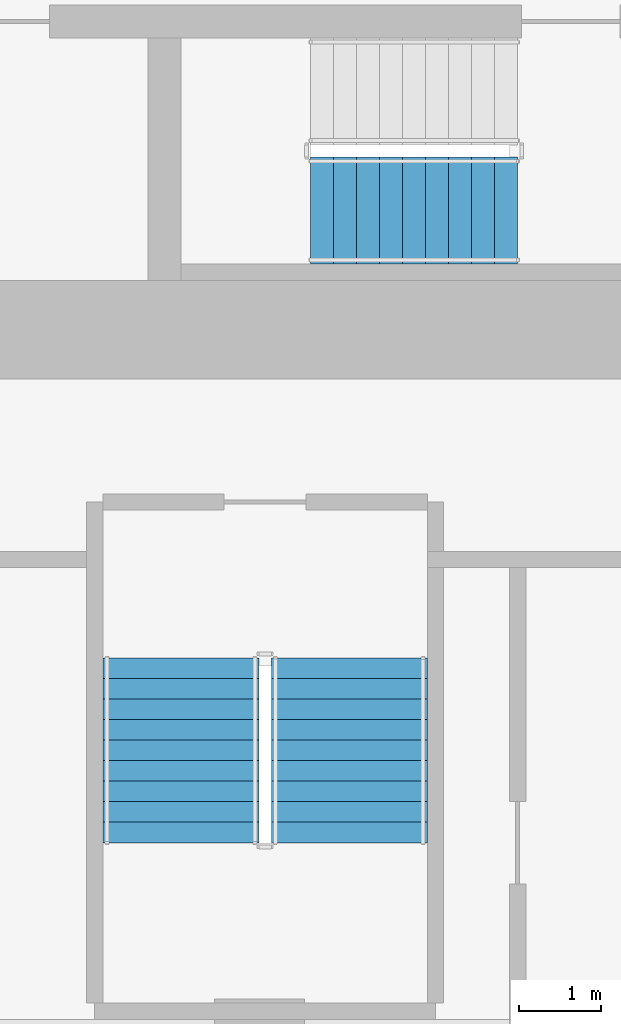
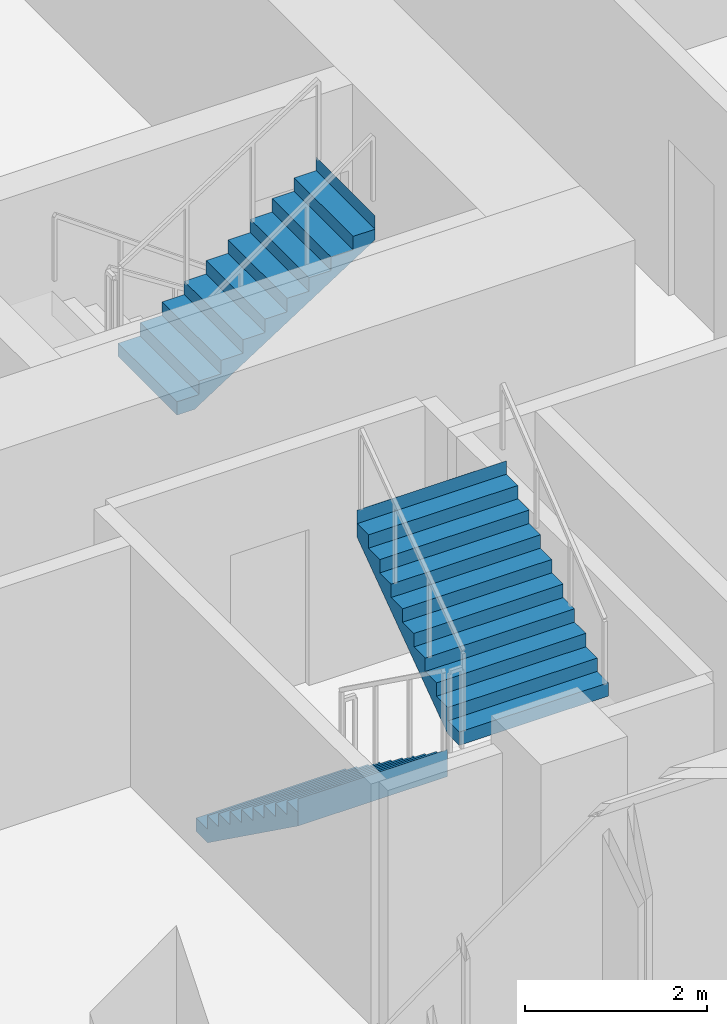
# One storey, part 20 of 25: 3 stair flights, 2 elements without a shape of their own.
"""IFC4 building model written with IfcOpenShell, lengths in metres."""

from ifc_helpers import new_model, si_unit, direction, frame, origin, place, context, subcontext, project, spatial, triangles, material, type_object, element, aggregate, save


model = new_model("IFC4")

# Units and contexts
model_context = context("Model", 3, precision=1e-05, world=origin(), true_north=direction((0.0, 1.0)))
body_context = subcontext(model_context, "Body", "Model", "MODEL_VIEW")
ifc_project = project(units=[si_unit("LENGTHUNIT", "METRE"), si_unit("AREAUNIT", "SQUARE_METRE"), si_unit("VOLUMEUNIT", "CUBIC_METRE"), si_unit("PLANEANGLEUNIT", "RADIAN"), si_unit("MASSUNIT", "GRAM", prefix="KILO")], contexts=[model_context])

# Site, building, storey
site_placement = place(None, origin())
site = spatial("IfcSite", under=ifc_project, at=site_placement, CompositionType="ELEMENT")
building_placement = place(site_placement, origin())
building = spatial("IfcBuilding", under=site, at=building_placement, Name="Beryl Residences", CompositionType="ELEMENT")
storey_placement = place(building_placement, frame((0.0, 0.0, 16.199951171875)))
storey = spatial("IfcBuildingStorey", under=building, at=storey_placement, Name="L04", CompositionType="ELEMENT", Elevation=16.199951171875)

# Stair, stair flights
ifc_material_1 = material(Name="Concrete C40/50", Category="concrete")
stair_type = type_object("IfcStairType", Name="ST1 protected exit stair, half-turn, 1300 mm flights", PredefinedType="HALF_TURN_STAIR", material=ifc_material_1)
stair_1_placement = place(storey_placement, origin())
stair_1 = element("IfcStair", 1, at=stair_1_placement, inside=storey, type_object=stair_type, Name="L04 Podium exit stair 7", PredefinedType="HALF_TURN_STAIR")
ifc_material_2 = material(Name="Concrete C40/50", Category="concrete")
stair_flight_type = type_object("IfcStairFlightType", Name="SF1 stair flight 1300 mm", PredefinedType="STRAIGHT", material=ifc_material_2)
stair_flight_1_placement = place(storey_placement, frame((6.699951171875, -22.39990234375, 0.0), z_axis=(0.0, 0.0, 1.0), x_axis=(0.0, -1.0, 0.0)))
stair_flight_1 = element("IfcStairFlight", 2, at=stair_flight_1_placement, type_object=stair_flight_type, Name="PS-7 flight 1", NumberOfRisers=10, NumberOfTreads=9, PredefinedType="STRAIGHT", RiserHeight=0.18, TreadLength=0.25, context=body_context, shape_type="Tessellation", body=[
    triangles([(0.0, -0.949951171875, 0.0), (0.0, -0.47509765625, 0.0), (0.0, 0.0, 0.0), (0.0, 0.47509765625, 0.0), (0.0, 0.949951171875, 0.0), (0.0, -0.949951171875, 0.179931640625), (0.0, -0.47509765625, 0.179931640625), (0.0, 0.0, 0.179931640625), (0.0, 0.47509765625, 0.179931640625), (0.0, 0.949951171875, 0.179931640625), (0.25, -0.949951171875, 0.179931640625), (0.25, -0.47509765625, 0.179931640625), (0.25, 0.0, 0.179931640625), (0.25, 0.47509765625, 0.179931640625), (0.25, 0.949951171875, 0.179931640625), (0.25, -0.949951171875, 0.360107421875), (0.25, -0.47509765625, 0.360107421875), (0.25, 0.0, 0.360107421875), (0.25, 0.47509765625, 0.360107421875), (0.25, 0.949951171875, 0.360107421875), (0.5, -0.949951171875, 0.360107421875), (0.5, -0.47509765625, 0.360107421875), (0.5, 0.0, 0.360107421875), (0.5, 0.47509765625, 0.360107421875), (0.5, 0.949951171875, 0.360107421875), (0.5, -0.949951171875, 0.5400390625), (0.5, -0.47509765625, 0.5400390625), (0.5, 0.0, 0.5400390625), (0.5, 0.47509765625, 0.5400390625), (0.5, 0.949951171875, 0.5400390625), (0.75, -0.949951171875, 0.5400390625), (0.75, -0.47509765625, 0.5400390625), (0.75, 0.0, 0.5400390625), (0.75, 0.47509765625, 0.5400390625), (0.75, 0.949951171875, 0.5400390625), (0.75, -0.949951171875, 0.719970703125), (0.75, -0.47509765625, 0.719970703125), (0.75, 0.0, 0.719970703125), (0.75, 0.47509765625, 0.719970703125), (0.75, 0.949951171875, 0.719970703125), (1.0, -0.949951171875, 0.719970703125), (1.0, -0.47509765625, 0.719970703125), (1.0, 0.0, 0.719970703125), (1.0, 0.47509765625, 0.719970703125), (1.0, 0.949951171875, 0.719970703125), (1.0, -0.949951171875, 0.89990234375), (1.0, -0.47509765625, 0.89990234375), (1.0, 0.0, 0.89990234375), (1.0, 0.47509765625, 0.89990234375), (1.0, 0.949951171875, 0.89990234375), (1.25, -0.949951171875, 0.89990234375), (1.25, -0.47509765625, 0.89990234375), (1.25, 0.0, 0.89990234375), (1.25, 0.47509765625, 0.89990234375), (1.25, 0.949951171875, 0.89990234375), (1.25, -0.949951171875, 1.080078125), (1.25, -0.47509765625, 1.080078125), (1.25, 0.0, 1.080078125), (1.25, 0.47509765625, 1.080078125), (1.25, 0.949951171875, 1.080078125), (1.5, -0.949951171875, 1.080078125), (1.5, -0.47509765625, 1.080078125), (1.5, 0.0, 1.080078125), (1.5, 0.47509765625, 1.080078125), (1.5, 0.949951171875, 1.080078125), (1.5, -0.949951171875, 1.260009765625), (1.5, -0.47509765625, 1.260009765625), (1.5, 0.0, 1.260009765625), (1.5, 0.47509765625, 1.260009765625), (1.5, 0.949951171875, 1.260009765625), (1.75, -0.949951171875, 1.260009765625), (1.75, -0.47509765625, 1.260009765625), (1.75, 0.0, 1.260009765625), (1.75, 0.47509765625, 1.260009765625), (1.75, 0.949951171875, 1.260009765625), (1.75, -0.949951171875, 1.43994140625), (1.75, -0.47509765625, 1.43994140625), (1.75, 0.0, 1.43994140625), (1.75, 0.47509765625, 1.43994140625), (1.75, 0.949951171875, 1.43994140625), (2.0, -0.949951171875, 1.43994140625), (2.0, -0.47509765625, 1.43994140625), (2.0, 0.0, 1.43994140625), (2.0, 0.47509765625, 1.43994140625), (2.0, 0.949951171875, 1.43994140625), (2.0, -0.949951171875, 1.6201171875), (2.0, -0.47509765625, 1.6201171875), (2.0, 0.0, 1.6201171875), (2.0, 0.47509765625, 1.6201171875), (2.0, 0.949951171875, 1.6201171875), (2.25, -0.949951171875, 1.6201171875), (2.25, -0.47509765625, 1.6201171875), (2.25, 0.0, 1.6201171875), (2.25, 0.47509765625, 1.6201171875), (2.25, 0.949951171875, 1.6201171875), (2.25, -0.949951171875, 1.800048828125), (2.25, -0.47509765625, 1.800048828125), (2.25, 0.0, 1.800048828125), (2.25, 0.47509765625, 1.800048828125), (2.25, 0.949951171875, 1.800048828125), (2.2509765625, -0.949951171875, 1.800048828125), (2.2509765625, -0.47509765625, 1.800048828125), (2.2509765625, 0.0, 1.800048828125), (2.2509765625, 0.47509765625, 1.800048828125), (2.2509765625, 0.949951171875, 1.800048828125), (2.2509765625, -0.949951171875, 1.435302734375), (2.2509765625, -0.47509765625, 1.435302734375), (2.2509765625, 0.0, 1.435302734375), (2.2509765625, 0.47509765625, 1.435302734375), (2.2509765625, 0.949951171875, 1.435302734375), (0.257568359375, -0.949951171875, 0.0), (0.257568359375, -0.47509765625, 0.0), (0.257568359375, 0.0, 0.0), (0.257568359375, 0.47509765625, 0.0), (0.257568359375, 0.949951171875, 0.0)], [[1, 6, 7], [1, 7, 2], [2, 7, 8], [2, 8, 3], [3, 8, 9], [3, 9, 4], [4, 9, 10], [4, 10, 5], [6, 11, 12], [6, 12, 7], [7, 12, 13], [7, 13, 8], [8, 13, 14], [8, 14, 9], [9, 14, 15], [9, 15, 10], [11, 16, 17], [11, 17, 12], [12, 17, 18], [12, 18, 13], [13, 18, 19], [13, 19, 14], [14, 19, 20], [14, 20, 15], [16, 21, 22], [16, 22, 17], [17, 22, 23], [17, 23, 18], [18, 23, 24], [18, 24, 19], [19, 24, 25], [19, 25, 20], [21, 26, 27], [21, 27, 22], [22, 27, 28], [22, 28, 23], [23, 28, 29], [23, 29, 24], [24, 29, 30], [24, 30, 25], [26, 31, 32], [26, 32, 27], [27, 32, 33], [27, 33, 28], [28, 33, 34], [28, 34, 29], [29, 34, 35], [29, 35, 30], [31, 36, 37], [31, 37, 32], [32, 37, 38], [32, 38, 33], [33, 38, 39], [33, 39, 34], [34, 39, 40], [34, 40, 35], [36, 41, 42], [36, 42, 37], [37, 42, 43], [37, 43, 38], [38, 43, 44], [38, 44, 39], [39, 44, 45], [39, 45, 40], [41, 46, 47], [41, 47, 42], [42, 47, 48], [42, 48, 43], [43, 48, 49], [43, 49, 44], [44, 49, 50], [44, 50, 45], [46, 51, 52], [46, 52, 47], [47, 52, 53], [47, 53, 48], [48, 53, 54], [48, 54, 49], [49, 54, 55], [49, 55, 50], [51, 56, 57], [51, 57, 52], [52, 57, 58], [52, 58, 53], [53, 58, 59], [53, 59, 54], [54, 59, 60], [54, 60, 55], [56, 61, 62], [56, 62, 57], [57, 62, 63], [57, 63, 58], [58, 63, 64], [58, 64, 59], [59, 64, 65], [59, 65, 60], [61, 66, 67], [61, 67, 62], [62, 67, 68], [62, 68, 63], [63, 68, 69], [63, 69, 64], [64, 69, 70], [64, 70, 65], [66, 71, 72], [66, 72, 67], [67, 72, 73], [67, 73, 68], [68, 73, 74], [68, 74, 69], [69, 74, 75], [69, 75, 70], [71, 76, 77], [71, 77, 72], [72, 77, 78], [72, 78, 73], [73, 78, 79], [73, 79, 74], [74, 79, 80], [74, 80, 75], [76, 81, 82], [76, 82, 77], [77, 82, 83], [77, 83, 78], [78, 83, 84], [78, 84, 79], [79, 84, 85], [79, 85, 80], [81, 86, 87], [81, 87, 82], [82, 87, 88], [82, 88, 83], [83, 88, 89], [83, 89, 84], [84, 89, 90], [84, 90, 85], [86, 91, 92], [86, 92, 87], [87, 92, 93], [87, 93, 88], [88, 93, 94], [88, 94, 89], [89, 94, 95], [89, 95, 90], [91, 96, 97], [91, 97, 92], [92, 97, 98], [92, 98, 93], [93, 98, 99], [93, 99, 94], [94, 99, 100], [94, 100, 95], [96, 101, 102], [96, 102, 97], [97, 102, 103], [97, 103, 98], [98, 103, 104], [98, 104, 99], [99, 104, 105], [99, 105, 100], [101, 106, 107], [101, 107, 102], [102, 107, 108], [102, 108, 103], [103, 108, 109], [103, 109, 104], [104, 109, 110], [104, 110, 105], [106, 111, 112], [106, 112, 107], [107, 112, 113], [107, 113, 108], [108, 113, 114], [108, 114, 109], [109, 114, 115], [109, 115, 110], [111, 1, 2], [111, 2, 112], [112, 2, 3], [112, 3, 113], [113, 3, 4], [113, 4, 114], [114, 4, 5], [114, 5, 115], [1, 111, 106], [5, 110, 115], [106, 101, 96], [110, 100, 105], [106, 96, 91], [110, 95, 100], [106, 91, 86], [110, 90, 95], [106, 86, 81], [110, 85, 90], [106, 81, 76], [110, 80, 85], [106, 76, 71], [110, 75, 80], [71, 66, 61], [75, 65, 70], [106, 71, 61], [110, 65, 75], [61, 56, 51], [65, 55, 60], [106, 61, 51], [110, 55, 65], [51, 46, 41], [55, 45, 50], [106, 51, 41], [110, 45, 55], [41, 36, 31], [45, 35, 40], [106, 41, 31], [110, 35, 45], [31, 26, 21], [35, 25, 30], [106, 31, 21], [110, 25, 35], [21, 16, 11], [25, 15, 20], [106, 21, 11], [110, 15, 25], [1, 106, 11], [5, 15, 110], [11, 6, 1], [15, 5, 10]], closed=True),
])
stair_flight_2_placement = place(storey_placement, frame((8.75, -24.64990234375, 1.800048828125), z_axis=(0.0, 0.0, 1.0), x_axis=(0.0, 1.0, 0.0)))
stair_flight_2 = element("IfcStairFlight", 3, at=stair_flight_2_placement, type_object=stair_flight_type, Name="PS-7 flight 2", NumberOfRisers=10, NumberOfTreads=9, PredefinedType="STRAIGHT", RiserHeight=0.18, TreadLength=0.25, context=body_context, shape_type="Tessellation", body=[
    triangles([(0.0, -0.949951171875, 0.0), (0.0, -0.47509765625, 0.0), (0.0, 0.0, 0.0), (0.0, 0.47509765625, 0.0), (0.0, 0.949951171875, 0.0), (0.0, -0.949951171875, 0.179931640625), (0.0, -0.47509765625, 0.179931640625), (0.0, 0.0, 0.179931640625), (0.0, 0.47509765625, 0.179931640625), (0.0, 0.949951171875, 0.179931640625), (0.25, -0.949951171875, 0.179931640625), (0.25, -0.47509765625, 0.179931640625), (0.25, 0.0, 0.179931640625), (0.25, 0.47509765625, 0.179931640625), (0.25, 0.949951171875, 0.179931640625), (0.25, -0.949951171875, 0.360107421875), (0.25, -0.47509765625, 0.360107421875), (0.25, 0.0, 0.360107421875), (0.25, 0.47509765625, 0.360107421875), (0.25, 0.949951171875, 0.360107421875), (0.5, -0.949951171875, 0.360107421875), (0.5, -0.47509765625, 0.360107421875), (0.5, 0.0, 0.360107421875), (0.5, 0.47509765625, 0.360107421875), (0.5, 0.949951171875, 0.360107421875), (0.5, -0.949951171875, 0.5400390625), (0.5, -0.47509765625, 0.5400390625), (0.5, 0.0, 0.5400390625), (0.5, 0.47509765625, 0.5400390625), (0.5, 0.949951171875, 0.5400390625), (0.75, -0.949951171875, 0.5400390625), (0.75, -0.47509765625, 0.5400390625), (0.75, 0.0, 0.5400390625), (0.75, 0.47509765625, 0.5400390625), (0.75, 0.949951171875, 0.5400390625), (0.75, -0.949951171875, 0.719970703125), (0.75, -0.47509765625, 0.719970703125), (0.75, 0.0, 0.719970703125), (0.75, 0.47509765625, 0.719970703125), (0.75, 0.949951171875, 0.719970703125), (1.0, -0.949951171875, 0.719970703125), (1.0, -0.47509765625, 0.719970703125), (1.0, 0.0, 0.719970703125), (1.0, 0.47509765625, 0.719970703125), (1.0, 0.949951171875, 0.719970703125), (1.0, -0.949951171875, 0.89990234375), (1.0, -0.47509765625, 0.89990234375), (1.0, 0.0, 0.89990234375), (1.0, 0.47509765625, 0.89990234375), (1.0, 0.949951171875, 0.89990234375), (1.25, -0.949951171875, 0.89990234375), (1.25, -0.47509765625, 0.89990234375), (1.25, 0.0, 0.89990234375), (1.25, 0.47509765625, 0.89990234375), (1.25, 0.949951171875, 0.89990234375), (1.25, -0.949951171875, 1.080078125), (1.25, -0.47509765625, 1.080078125), (1.25, 0.0, 1.080078125), (1.25, 0.47509765625, 1.080078125), (1.25, 0.949951171875, 1.080078125), (1.5, -0.949951171875, 1.080078125), (1.5, -0.47509765625, 1.080078125), (1.5, 0.0, 1.080078125), (1.5, 0.47509765625, 1.080078125), (1.5, 0.949951171875, 1.080078125), (1.5, -0.949951171875, 1.260009765625), (1.5, -0.47509765625, 1.260009765625), (1.5, 0.0, 1.260009765625), (1.5, 0.47509765625, 1.260009765625), (1.5, 0.949951171875, 1.260009765625), (1.75, -0.949951171875, 1.260009765625), (1.75, -0.47509765625, 1.260009765625), (1.75, 0.0, 1.260009765625), (1.75, 0.47509765625, 1.260009765625), (1.75, 0.949951171875, 1.260009765625), (1.75, -0.949951171875, 1.43994140625), (1.75, -0.47509765625, 1.43994140625), (1.75, 0.0, 1.43994140625), (1.75, 0.47509765625, 1.43994140625), (1.75, 0.949951171875, 1.43994140625), (2.0, -0.949951171875, 1.43994140625), (2.0, -0.47509765625, 1.43994140625), (2.0, 0.0, 1.43994140625), (2.0, 0.47509765625, 1.43994140625), (2.0, 0.949951171875, 1.43994140625), (2.0, -0.949951171875, 1.6201171875), (2.0, -0.47509765625, 1.6201171875), (2.0, 0.0, 1.6201171875), (2.0, 0.47509765625, 1.6201171875), (2.0, 0.949951171875, 1.6201171875), (2.25, -0.949951171875, 1.6201171875), (2.25, -0.47509765625, 1.6201171875), (2.25, 0.0, 1.6201171875), (2.25, 0.47509765625, 1.6201171875), (2.25, 0.949951171875, 1.6201171875), (2.25, -0.949951171875, 1.800048828125), (2.25, -0.47509765625, 1.800048828125), (2.25, 0.0, 1.800048828125), (2.25, 0.47509765625, 1.800048828125), (2.25, 0.949951171875, 1.800048828125), (2.2509765625, -0.949951171875, 1.800048828125), (2.2509765625, -0.47509765625, 1.800048828125), (2.2509765625, 0.0, 1.800048828125), (2.2509765625, 0.47509765625, 1.800048828125), (2.2509765625, 0.949951171875, 1.800048828125), (2.2509765625, -0.949951171875, 1.435302734375), (2.2509765625, -0.47509765625, 1.435302734375), (2.2509765625, 0.0, 1.435302734375), (2.2509765625, 0.47509765625, 1.435302734375), (2.2509765625, 0.949951171875, 1.435302734375), (0.257568359375, -0.949951171875, 0.0), (0.257568359375, -0.47509765625, 0.0), (0.257568359375, 0.0, 0.0), (0.257568359375, 0.47509765625, 0.0), (0.257568359375, 0.949951171875, 0.0)], [[1, 6, 7], [1, 7, 2], [2, 7, 8], [2, 8, 3], [3, 8, 9], [3, 9, 4], [4, 9, 10], [4, 10, 5], [6, 11, 12], [6, 12, 7], [7, 12, 13], [7, 13, 8], [8, 13, 14], [8, 14, 9], [9, 14, 15], [9, 15, 10], [11, 16, 17], [11, 17, 12], [12, 17, 18], [12, 18, 13], [13, 18, 19], [13, 19, 14], [14, 19, 20], [14, 20, 15], [16, 21, 22], [16, 22, 17], [17, 22, 23], [17, 23, 18], [18, 23, 24], [18, 24, 19], [19, 24, 25], [19, 25, 20], [21, 26, 27], [21, 27, 22], [22, 27, 28], [22, 28, 23], [23, 28, 29], [23, 29, 24], [24, 29, 30], [24, 30, 25], [26, 31, 32], [26, 32, 27], [27, 32, 33], [27, 33, 28], [28, 33, 34], [28, 34, 29], [29, 34, 35], [29, 35, 30], [31, 36, 37], [31, 37, 32], [32, 37, 38], [32, 38, 33], [33, 38, 39], [33, 39, 34], [34, 39, 40], [34, 40, 35], [36, 41, 42], [36, 42, 37], [37, 42, 43], [37, 43, 38], [38, 43, 44], [38, 44, 39], [39, 44, 45], [39, 45, 40], [41, 46, 47], [41, 47, 42], [42, 47, 48], [42, 48, 43], [43, 48, 49], [43, 49, 44], [44, 49, 50], [44, 50, 45], [46, 51, 52], [46, 52, 47], [47, 52, 53], [47, 53, 48], [48, 53, 54], [48, 54, 49], [49, 54, 55], [49, 55, 50], [51, 56, 57], [51, 57, 52], [52, 57, 58], [52, 58, 53], [53, 58, 59], [53, 59, 54], [54, 59, 60], [54, 60, 55], [56, 61, 62], [56, 62, 57], [57, 62, 63], [57, 63, 58], [58, 63, 64], [58, 64, 59], [59, 64, 65], [59, 65, 60], [61, 66, 67], [61, 67, 62], [62, 67, 68], [62, 68, 63], [63, 68, 69], [63, 69, 64], [64, 69, 70], [64, 70, 65], [66, 71, 72], [66, 72, 67], [67, 72, 73], [67, 73, 68], [68, 73, 74], [68, 74, 69], [69, 74, 75], [69, 75, 70], [71, 76, 77], [71, 77, 72], [72, 77, 78], [72, 78, 73], [73, 78, 79], [73, 79, 74], [74, 79, 80], [74, 80, 75], [76, 81, 82], [76, 82, 77], [77, 82, 83], [77, 83, 78], [78, 83, 84], [78, 84, 79], [79, 84, 85], [79, 85, 80], [81, 86, 87], [81, 87, 82], [82, 87, 88], [82, 88, 83], [83, 88, 89], [83, 89, 84], [84, 89, 90], [84, 90, 85], [86, 91, 92], [86, 92, 87], [87, 92, 93], [87, 93, 88], [88, 93, 94], [88, 94, 89], [89, 94, 95], [89, 95, 90], [91, 96, 97], [91, 97, 92], [92, 97, 98], [92, 98, 93], [93, 98, 99], [93, 99, 94], [94, 99, 100], [94, 100, 95], [96, 101, 102], [96, 102, 97], [97, 102, 103], [97, 103, 98], [98, 103, 104], [98, 104, 99], [99, 104, 105], [99, 105, 100], [101, 106, 107], [101, 107, 102], [102, 107, 108], [102, 108, 103], [103, 108, 109], [103, 109, 104], [104, 109, 110], [104, 110, 105], [106, 111, 112], [106, 112, 107], [107, 112, 113], [107, 113, 108], [108, 113, 114], [108, 114, 109], [109, 114, 115], [109, 115, 110], [111, 1, 2], [111, 2, 112], [112, 2, 3], [112, 3, 113], [113, 3, 4], [113, 4, 114], [114, 4, 5], [114, 5, 115], [1, 111, 106], [5, 110, 115], [106, 101, 96], [110, 100, 105], [106, 96, 91], [110, 95, 100], [106, 91, 86], [110, 90, 95], [106, 86, 81], [110, 85, 90], [106, 81, 76], [110, 80, 85], [106, 76, 71], [110, 75, 80], [71, 66, 61], [75, 65, 70], [106, 71, 61], [110, 65, 75], [61, 56, 51], [65, 55, 60], [106, 61, 51], [110, 55, 65], [51, 46, 41], [55, 45, 50], [106, 51, 41], [110, 45, 55], [41, 36, 31], [45, 35, 40], [106, 41, 31], [110, 35, 45], [31, 26, 21], [35, 25, 30], [106, 31, 21], [110, 25, 35], [21, 16, 11], [25, 15, 20], [106, 21, 11], [110, 15, 25], [1, 106, 11], [5, 15, 110], [11, 6, 1], [15, 5, 10]], closed=True),
])
aggregate(stair_1, [stair_flight_1, stair_flight_2])

# Stair, stair flight
stair_2_placement = place(storey_placement, origin())
stair_2 = element("IfcStair", 4, at=stair_2_placement, inside=storey, type_object=stair_type, Name="L04 PROTECTED EXIT STAIR ST-3", PredefinedType="HALF_TURN_STAIR")
stair_flight_3_placement = place(storey_placement, frame((8.280029296875, -16.949951171875, 1.800048828125), z_axis=(0.0, 0.0, 1.0), x_axis=(1.0, 0.0, 0.0)))
stair_flight_3 = element("IfcStairFlight", 5, at=stair_flight_3_placement, type_object=stair_flight_type, Name="ST-3 flight 2", NumberOfRisers=10, NumberOfTreads=9, PredefinedType="STRAIGHT", RiserHeight=0.18, TreadLength=0.28, context=body_context, shape_type="Tessellation", body=[
    triangles([(0.0, -0.64990234375, 0.0), (0.0, -0.324951171875, 0.0), (0.0, 0.0, 0.0), (0.0, 0.324951171875, 0.0), (0.0, 0.64990234375, 0.0), (0.0, -0.64990234375, 0.179931640625), (0.0, -0.324951171875, 0.179931640625), (0.0, 0.0, 0.179931640625), (0.0, 0.324951171875, 0.179931640625), (0.0, 0.64990234375, 0.179931640625), (0.280029296875, -0.64990234375, 0.179931640625), (0.280029296875, -0.324951171875, 0.179931640625), (0.280029296875, 0.0, 0.179931640625), (0.280029296875, 0.324951171875, 0.179931640625), (0.280029296875, 0.64990234375, 0.179931640625), (0.280029296875, -0.64990234375, 0.360107421875), (0.280029296875, -0.324951171875, 0.360107421875), (0.280029296875, 0.0, 0.360107421875), (0.280029296875, 0.324951171875, 0.360107421875), (0.280029296875, 0.64990234375, 0.360107421875), (0.56005859375, -0.64990234375, 0.360107421875), (0.56005859375, -0.324951171875, 0.360107421875), (0.56005859375, 0.0, 0.360107421875), (0.56005859375, 0.324951171875, 0.360107421875), (0.56005859375, 0.64990234375, 0.360107421875), (0.56005859375, -0.64990234375, 0.5400390625), (0.56005859375, -0.324951171875, 0.5400390625), (0.56005859375, 0.0, 0.5400390625), (0.56005859375, 0.324951171875, 0.5400390625), (0.56005859375, 0.64990234375, 0.5400390625), (0.840087890625, -0.64990234375, 0.5400390625), (0.840087890625, -0.324951171875, 0.5400390625), (0.840087890625, 0.0, 0.5400390625), (0.840087890625, 0.324951171875, 0.5400390625), (0.840087890625, 0.64990234375, 0.5400390625), (0.840087890625, -0.64990234375, 0.719970703125), (0.840087890625, -0.324951171875, 0.719970703125), (0.840087890625, 0.0, 0.719970703125), (0.840087890625, 0.324951171875, 0.719970703125), (0.840087890625, 0.64990234375, 0.719970703125), (1.1201171875, -0.64990234375, 0.719970703125), (1.1201171875, -0.324951171875, 0.719970703125), (1.1201171875, 0.0, 0.719970703125), (1.1201171875, 0.324951171875, 0.719970703125), (1.1201171875, 0.64990234375, 0.719970703125), (1.1201171875, -0.64990234375, 0.89990234375), (1.1201171875, -0.324951171875, 0.89990234375), (1.1201171875, 0.0, 0.89990234375), (1.1201171875, 0.324951171875, 0.89990234375), (1.1201171875, 0.64990234375, 0.89990234375), (1.39990234375, -0.64990234375, 0.89990234375), (1.39990234375, -0.324951171875, 0.89990234375), (1.39990234375, 0.0, 0.89990234375), (1.39990234375, 0.324951171875, 0.89990234375), (1.39990234375, 0.64990234375, 0.89990234375), (1.39990234375, -0.64990234375, 1.080078125), (1.39990234375, -0.324951171875, 1.080078125), (1.39990234375, 0.0, 1.080078125), (1.39990234375, 0.324951171875, 1.080078125), (1.39990234375, 0.64990234375, 1.080078125), (1.679931640625, -0.64990234375, 1.080078125), (1.679931640625, -0.324951171875, 1.080078125), (1.679931640625, 0.0, 1.080078125), (1.679931640625, 0.324951171875, 1.080078125), (1.679931640625, 0.64990234375, 1.080078125), (1.679931640625, -0.64990234375, 1.260009765625), (1.679931640625, -0.324951171875, 1.260009765625), (1.679931640625, 0.0, 1.260009765625), (1.679931640625, 0.324951171875, 1.260009765625), (1.679931640625, 0.64990234375, 1.260009765625), (1.9599609375, -0.64990234375, 1.260009765625), (1.9599609375, -0.324951171875, 1.260009765625), (1.9599609375, 0.0, 1.260009765625), (1.9599609375, 0.324951171875, 1.260009765625), (1.9599609375, 0.64990234375, 1.260009765625), (1.9599609375, -0.64990234375, 1.43994140625), (1.9599609375, -0.324951171875, 1.43994140625), (1.9599609375, 0.0, 1.43994140625), (1.9599609375, 0.324951171875, 1.43994140625), (1.9599609375, 0.64990234375, 1.43994140625), (2.239990234375, -0.64990234375, 1.43994140625), (2.239990234375, -0.324951171875, 1.43994140625), (2.239990234375, 0.0, 1.43994140625), (2.239990234375, 0.324951171875, 1.43994140625), (2.239990234375, 0.64990234375, 1.43994140625), (2.239990234375, -0.64990234375, 1.6201171875), (2.239990234375, -0.324951171875, 1.6201171875), (2.239990234375, 0.0, 1.6201171875), (2.239990234375, 0.324951171875, 1.6201171875), (2.239990234375, 0.64990234375, 1.6201171875), (2.52001953125, -0.64990234375, 1.6201171875), (2.52001953125, -0.324951171875, 1.6201171875), (2.52001953125, 0.0, 1.6201171875), (2.52001953125, 0.324951171875, 1.6201171875), (2.52001953125, 0.64990234375, 1.6201171875), (2.52001953125, -0.64990234375, 1.800048828125), (2.52001953125, -0.324951171875, 1.800048828125), (2.52001953125, 0.0, 1.800048828125), (2.52001953125, 0.324951171875, 1.800048828125), (2.52001953125, 0.64990234375, 1.800048828125), (2.52099609375, -0.64990234375, 1.800048828125), (2.52099609375, -0.324951171875, 1.800048828125), (2.52099609375, 0.0, 1.800048828125), (2.52099609375, 0.324951171875, 1.800048828125), (2.52099609375, 0.64990234375, 1.800048828125), (2.52099609375, -0.64990234375, 1.477294921875), (2.52099609375, -0.324951171875, 1.477294921875), (2.52099609375, 0.0, 1.477294921875), (2.52099609375, 0.324951171875, 1.477294921875), (2.52099609375, 0.64990234375, 1.477294921875), (0.22314453125, -0.64990234375, 0.0), (0.22314453125, -0.324951171875, 0.0), (0.22314453125, 0.0, 0.0), (0.22314453125, 0.324951171875, 0.0), (0.22314453125, 0.64990234375, 0.0)], [[1, 6, 7], [1, 7, 2], [2, 7, 8], [2, 8, 3], [3, 8, 9], [3, 9, 4], [4, 9, 10], [4, 10, 5], [6, 11, 12], [6, 12, 7], [7, 12, 13], [7, 13, 8], [8, 13, 14], [8, 14, 9], [9, 14, 15], [9, 15, 10], [11, 16, 17], [11, 17, 12], [12, 17, 18], [12, 18, 13], [13, 18, 19], [13, 19, 14], [14, 19, 20], [14, 20, 15], [16, 21, 22], [16, 22, 17], [17, 22, 23], [17, 23, 18], [18, 23, 24], [18, 24, 19], [19, 24, 25], [19, 25, 20], [21, 26, 27], [21, 27, 22], [22, 27, 28], [22, 28, 23], [23, 28, 29], [23, 29, 24], [24, 29, 30], [24, 30, 25], [26, 31, 32], [26, 32, 27], [27, 32, 33], [27, 33, 28], [28, 33, 34], [28, 34, 29], [29, 34, 35], [29, 35, 30], [31, 36, 37], [31, 37, 32], [32, 37, 38], [32, 38, 33], [33, 38, 39], [33, 39, 34], [34, 39, 40], [34, 40, 35], [36, 41, 42], [36, 42, 37], [37, 42, 43], [37, 43, 38], [38, 43, 44], [38, 44, 39], [39, 44, 45], [39, 45, 40], [41, 46, 47], [41, 47, 42], [42, 47, 48], [42, 48, 43], [43, 48, 49], [43, 49, 44], [44, 49, 50], [44, 50, 45], [46, 51, 52], [46, 52, 47], [47, 52, 53], [47, 53, 48], [48, 53, 54], [48, 54, 49], [49, 54, 55], [49, 55, 50], [51, 56, 57], [51, 57, 52], [52, 57, 58], [52, 58, 53], [53, 58, 59], [53, 59, 54], [54, 59, 60], [54, 60, 55], [56, 61, 62], [56, 62, 57], [57, 62, 63], [57, 63, 58], [58, 63, 64], [58, 64, 59], [59, 64, 65], [59, 65, 60], [61, 66, 67], [61, 67, 62], [62, 67, 68], [62, 68, 63], [63, 68, 69], [63, 69, 64], [64, 69, 70], [64, 70, 65], [66, 71, 72], [66, 72, 67], [67, 72, 73], [67, 73, 68], [68, 73, 74], [68, 74, 69], [69, 74, 75], [69, 75, 70], [71, 76, 77], [71, 77, 72], [72, 77, 78], [72, 78, 73], [73, 78, 79], [73, 79, 74], [74, 79, 80], [74, 80, 75], [76, 81, 82], [76, 82, 77], [77, 82, 83], [77, 83, 78], [78, 83, 84], [78, 84, 79], [79, 84, 85], [79, 85, 80], [81, 86, 87], [81, 87, 82], [82, 87, 88], [82, 88, 83], [83, 88, 89], [83, 89, 84], [84, 89, 90], [84, 90, 85], [86, 91, 92], [86, 92, 87], [87, 92, 93], [87, 93, 88], [88, 93, 94], [88, 94, 89], [89, 94, 95], [89, 95, 90], [91, 96, 97], [91, 97, 92], [92, 97, 98], [92, 98, 93], [93, 98, 99], [93, 99, 94], [94, 99, 100], [94, 100, 95], [96, 101, 102], [96, 102, 97], [97, 102, 103], [97, 103, 98], [98, 103, 104], [98, 104, 99], [99, 104, 105], [99, 105, 100], [101, 106, 107], [101, 107, 102], [102, 107, 108], [102, 108, 103], [103, 108, 109], [103, 109, 104], [104, 109, 110], [104, 110, 105], [106, 111, 112], [106, 112, 107], [107, 112, 113], [107, 113, 108], [108, 113, 114], [108, 114, 109], [109, 114, 115], [109, 115, 110], [111, 1, 2], [111, 2, 112], [112, 2, 3], [112, 3, 113], [113, 3, 4], [113, 4, 114], [114, 4, 5], [114, 5, 115], [1, 111, 106], [5, 110, 115], [106, 101, 96], [110, 100, 105], [106, 96, 91], [110, 95, 100], [106, 91, 86], [110, 90, 95], [106, 86, 81], [110, 85, 90], [81, 76, 71], [85, 75, 80], [106, 81, 71], [110, 75, 85], [71, 66, 61], [75, 65, 70], [106, 71, 61], [110, 65, 75], [61, 56, 51], [65, 55, 60], [106, 61, 51], [110, 55, 65], [51, 46, 41], [55, 45, 50], [106, 51, 41], [110, 45, 55], [41, 36, 31], [45, 35, 40], [106, 41, 31], [110, 35, 45], [31, 26, 21], [35, 25, 30], [106, 31, 21], [110, 25, 35], [21, 16, 11], [25, 15, 20], [106, 21, 11], [110, 15, 25], [1, 106, 11], [5, 15, 110], [11, 6, 1], [15, 5, 10]], closed=True),
])
aggregate(stair_2, [stair_flight_3])

save(model, "model.ifc")
